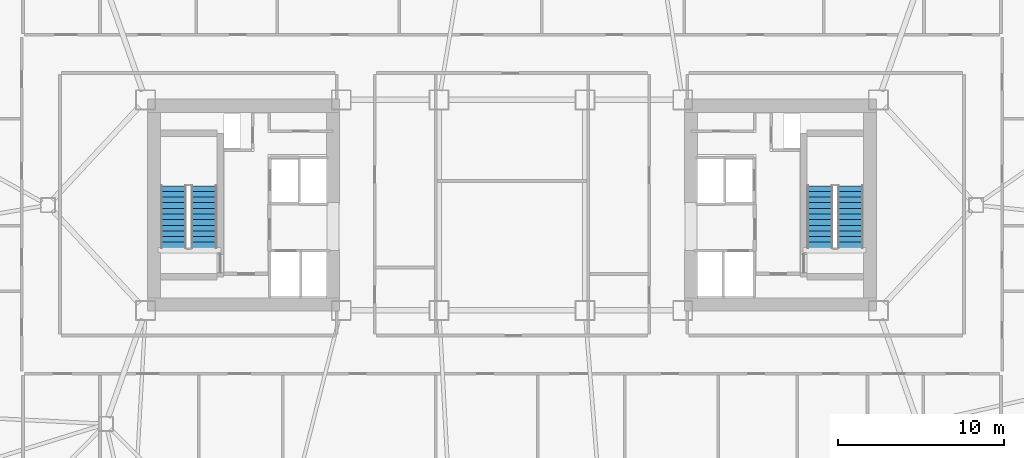
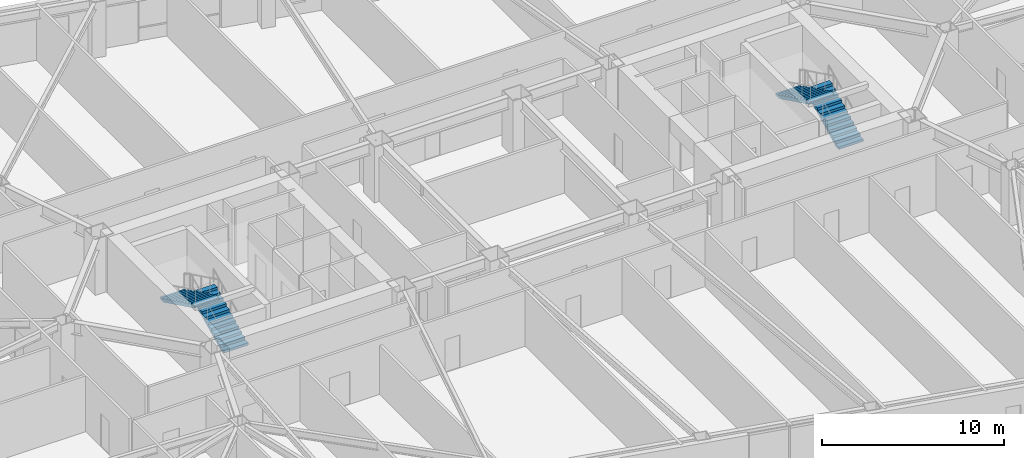
# One storey, part 13 of 18: 4 stair flights, 2 elements without a shape of their own.
"""IFC4 building model written with IfcOpenShell, lengths in metres."""

from ifc_helpers import new_model, si_unit, direction, frame, origin, place, context, subcontext, project, spatial, polyline, outline, extrude, material, type_object, element, aggregate, save


model = new_model("IFC4")

# Units and contexts
model_context = context("Model", 3, precision=1e-05, world=origin(), true_north=direction((0.0, 1.0)))
body_context = subcontext(model_context, "Body", "Model", "MODEL_VIEW")
ifc_project = project(units=[si_unit("LENGTHUNIT", "METRE"), si_unit("AREAUNIT", "SQUARE_METRE"), si_unit("VOLUMEUNIT", "CUBIC_METRE"), si_unit("PLANEANGLEUNIT", "RADIAN"), si_unit("MASSUNIT", "GRAM", prefix="KILO")], contexts=[model_context])

# Site, building, storey
site_placement = place(None, origin())
site = spatial("IfcSite", under=ifc_project, at=site_placement, CompositionType="ELEMENT")
building_placement = place(site_placement, origin())
building = spatial("IfcBuilding", under=site, at=building_placement, Name="Tavrogorsk Clinical Tower", CompositionType="ELEMENT")
storey_placement = place(building_placement, frame((0.0, 0.0, 51.39990234375)))
storey = spatial("IfcBuildingStorey", under=building, at=storey_placement, Name="L10", CompositionType="ELEMENT", Elevation=51.39990234375)

# Stair, stair flights
ifc_material_1 = material(Name="Concrete B60", Category="concrete")
stair_type = type_object("IfcStairType", Name="CoreStairAssembly", PredefinedType="HALF_TURN_STAIR", material=ifc_material_1)
stair_1_placement = place(storey_placement, origin())
stair_1 = element("IfcStair", 1, at=stair_1_placement, inside=storey, type_object=stair_type, Name="L10 ST-W", PredefinedType="HALF_TURN_STAIR")
ifc_material_2 = material(Name="Concrete B60", Category="concrete")
stair_flight_type = type_object("IfcStairFlightType", Name="CoreStairFlight", PredefinedType="STRAIGHT", material=ifc_material_2)
stair_flight_1_placement = place(storey_placement, frame((-18.574951171875, -2.574951171875, 0.0), z_axis=(0.0, 0.0, 1.0), x_axis=(0.0, 1.0, 0.0)))
stair_flight_1 = element("IfcStairFlight", 2, at=stair_flight_1_placement, type_object=stair_flight_type, Name="ST-W flight 1", NumberOfRisers=12, NumberOfTreads=11, PredefinedType="STRAIGHT", RiserHeight=0.166666667, TreadLength=0.34, context=body_context, shape_type="SweptSolid", body=[
    extrude(outline(polyline([(0.0, 0.0), (0.0, 0.166748046875), (0.340087890625, 0.166748046875), (0.340087890625, 0.333251953125), (0.679931640625, 0.333251953125), (0.679931640625, 0.5), (1.02001953125, 0.5), (1.02001953125, 0.666748046875), (1.360107421875, 0.666748046875), (1.360107421875, 0.833251953125), (1.699951171875, 0.833251953125), (1.699951171875, 1.0), (2.0400390625, 1.0), (2.0400390625, 1.166748046875), (2.3798828125, 1.166748046875), (2.3798828125, 1.333251953125), (2.719970703125, 1.333251953125), (2.719970703125, 1.5), (3.06005859375, 1.5), (3.06005859375, 1.666748046875), (3.39990234375, 1.666748046875), (3.39990234375, 1.833251953125), (3.739990234375, 1.833251953125), (3.739990234375, 2.0), (3.739990234375, 1.66650390625), (0.340576171875, 0.0), (0.0, 0.0)])), frame((0.0, 0.77490234375, 0.0), z_axis=(0.0, -1.0, 0.0), x_axis=(1.0, 0.0, 0.0)), (0.0, 0.0, 1.0), 1.550048828125),
])
stair_flight_2_placement = place(storey_placement, frame((-20.425048828125, 1.1650390625, 2.0), z_axis=(0.0, 0.0, 1.0), x_axis=(0.0, -1.0, 0.0)))
stair_flight_2 = element("IfcStairFlight", 3, at=stair_flight_2_placement, type_object=stair_flight_type, Name="ST-W flight 2", NumberOfRisers=12, NumberOfTreads=11, PredefinedType="STRAIGHT", RiserHeight=0.166666667, TreadLength=0.34, context=body_context, shape_type="SweptSolid", body=[
    extrude(outline(polyline([(0.0, 0.0), (0.0, 0.166748046875), (0.340087890625, 0.166748046875), (0.340087890625, 0.333251953125), (0.679931640625, 0.333251953125), (0.679931640625, 0.5), (1.02001953125, 0.5), (1.02001953125, 0.666748046875), (1.360107421875, 0.666748046875), (1.360107421875, 0.833251953125), (1.699951171875, 0.833251953125), (1.699951171875, 1.0), (2.0400390625, 1.0), (2.0400390625, 1.166748046875), (2.3798828125, 1.166748046875), (2.3798828125, 1.333251953125), (2.719970703125, 1.333251953125), (2.719970703125, 1.5), (3.06005859375, 1.5), (3.06005859375, 1.666748046875), (3.39990234375, 1.666748046875), (3.39990234375, 1.833251953125), (3.739990234375, 1.833251953125), (3.739990234375, 2.0), (3.739990234375, 1.66650390625), (0.340576171875, 0.0), (0.0, 0.0)])), frame((0.0, 0.77490234375, 0.0), z_axis=(0.0, -1.0, 0.0), x_axis=(1.0, 0.0, 0.0)), (0.0, 0.0, 1.0), 1.550048828125),
])
aggregate(stair_1, [stair_flight_1, stair_flight_2])

stair_2_placement = place(storey_placement, origin())
stair_2 = element("IfcStair", 4, at=stair_2_placement, inside=storey, type_object=stair_type, Name="L10 ST-E", PredefinedType="HALF_TURN_STAIR")
stair_flight_3_placement = place(storey_placement, frame((20.425048828125, -2.574951171875, 0.0), z_axis=(0.0, 0.0, 1.0), x_axis=(0.0, 1.0, 0.0)))
stair_flight_3 = element("IfcStairFlight", 5, at=stair_flight_3_placement, type_object=stair_flight_type, Name="ST-E flight 1", NumberOfRisers=12, NumberOfTreads=11, PredefinedType="STRAIGHT", RiserHeight=0.166666667, TreadLength=0.34, context=body_context, shape_type="SweptSolid", body=[
    extrude(outline(polyline([(0.0, 0.0), (0.0, 0.166748046875), (0.340087890625, 0.166748046875), (0.340087890625, 0.333251953125), (0.679931640625, 0.333251953125), (0.679931640625, 0.5), (1.02001953125, 0.5), (1.02001953125, 0.666748046875), (1.360107421875, 0.666748046875), (1.360107421875, 0.833251953125), (1.699951171875, 0.833251953125), (1.699951171875, 1.0), (2.0400390625, 1.0), (2.0400390625, 1.166748046875), (2.3798828125, 1.166748046875), (2.3798828125, 1.333251953125), (2.719970703125, 1.333251953125), (2.719970703125, 1.5), (3.06005859375, 1.5), (3.06005859375, 1.666748046875), (3.39990234375, 1.666748046875), (3.39990234375, 1.833251953125), (3.739990234375, 1.833251953125), (3.739990234375, 2.0), (3.739990234375, 1.66650390625), (0.340576171875, 0.0), (0.0, 0.0)])), frame((0.0, 0.77490234375, 0.0), z_axis=(0.0, -1.0, 0.0), x_axis=(1.0, 0.0, 0.0)), (0.0, 0.0, 1.0), 1.550048828125),
])
stair_flight_4_placement = place(storey_placement, frame((18.574951171875, 1.1650390625, 2.0), z_axis=(0.0, 0.0, 1.0), x_axis=(0.0, -1.0, 0.0)))
stair_flight_4 = element("IfcStairFlight", 6, at=stair_flight_4_placement, type_object=stair_flight_type, Name="ST-E flight 2", NumberOfRisers=12, NumberOfTreads=11, PredefinedType="STRAIGHT", RiserHeight=0.166666667, TreadLength=0.34, context=body_context, shape_type="SweptSolid", body=[
    extrude(outline(polyline([(0.0, 0.0), (0.0, 0.166748046875), (0.340087890625, 0.166748046875), (0.340087890625, 0.333251953125), (0.679931640625, 0.333251953125), (0.679931640625, 0.5), (1.02001953125, 0.5), (1.02001953125, 0.666748046875), (1.360107421875, 0.666748046875), (1.360107421875, 0.833251953125), (1.699951171875, 0.833251953125), (1.699951171875, 1.0), (2.0400390625, 1.0), (2.0400390625, 1.166748046875), (2.3798828125, 1.166748046875), (2.3798828125, 1.333251953125), (2.719970703125, 1.333251953125), (2.719970703125, 1.5), (3.06005859375, 1.5), (3.06005859375, 1.666748046875), (3.39990234375, 1.666748046875), (3.39990234375, 1.833251953125), (3.739990234375, 1.833251953125), (3.739990234375, 2.0), (3.739990234375, 1.66650390625), (0.340576171875, 0.0), (0.0, 0.0)])), frame((0.0, 0.77490234375, 0.0), z_axis=(0.0, -1.0, 0.0), x_axis=(1.0, 0.0, 0.0)), (0.0, 0.0, 1.0), 1.550048828125),
])
aggregate(stair_2, [stair_flight_3, stair_flight_4])

save(model, "model.ifc")
